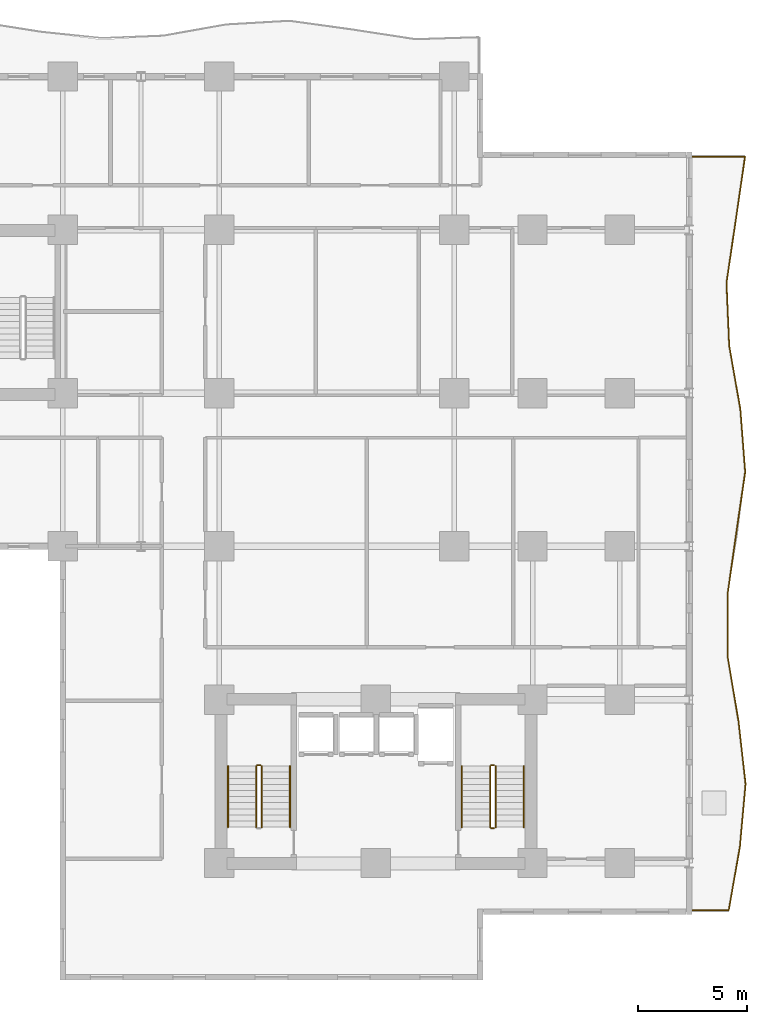
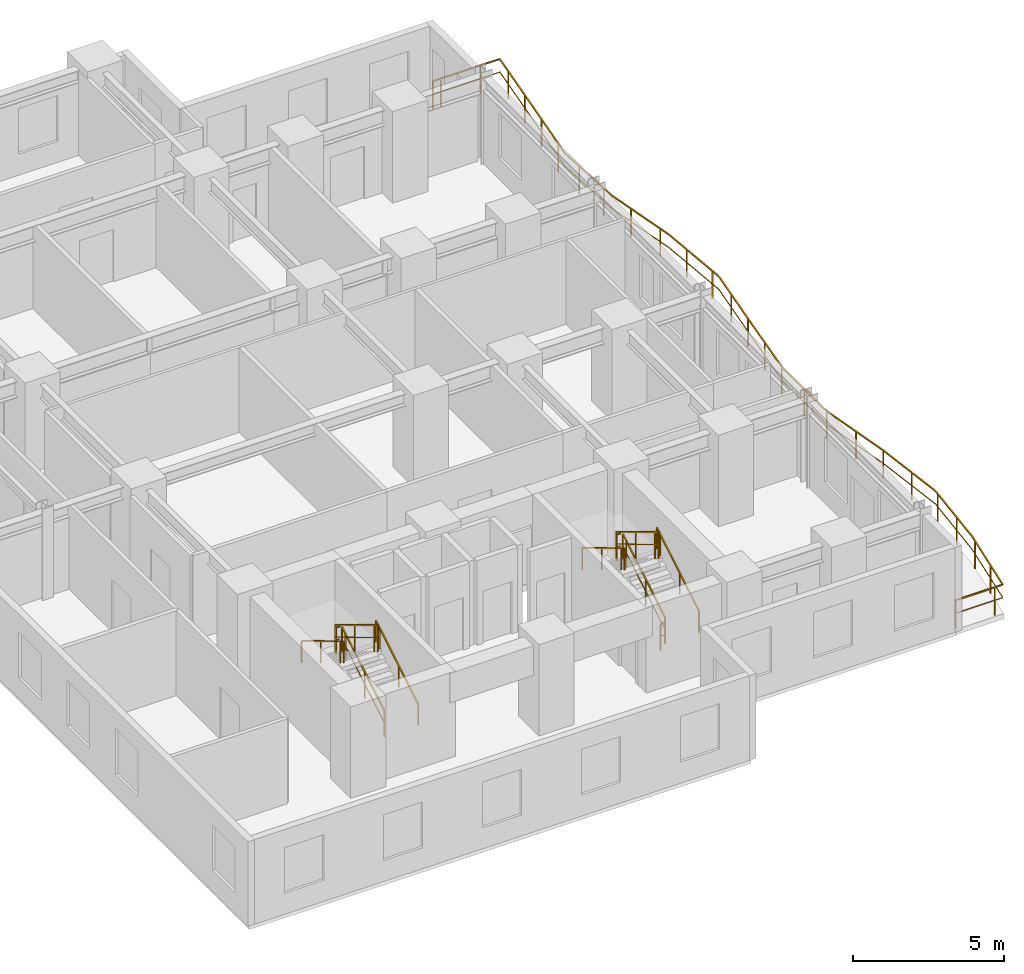
# One storey, part 10 of 11: 12 railings.
"""IFC4 building model written with IfcOpenShell, lengths in metres."""

from ifc_helpers import new_model, si_unit, direction, frame, origin, origin_2d, place, context, subcontext, project, spatial, rectangle, extrude, material, type_object, element, save


model = new_model("IFC4")

# Units and contexts
model_context = context("Model", 3, precision=1e-05, world=origin(), true_north=direction((0.0, 1.0)))
body_context = subcontext(model_context, "Body", "Model", "MODEL_VIEW")
ifc_project = project(units=[si_unit("LENGTHUNIT", "METRE"), si_unit("AREAUNIT", "SQUARE_METRE"), si_unit("VOLUMEUNIT", "CUBIC_METRE"), si_unit("PLANEANGLEUNIT", "RADIAN"), si_unit("MASSUNIT", "GRAM", prefix="KILO")], contexts=[model_context])

# Site, building, storey
site_placement = place(None, origin())
site = spatial("IfcSite", under=ifc_project, at=site_placement, CompositionType="ELEMENT")
building_placement = place(site_placement, origin())
building = spatial("IfcBuilding", under=site, at=building_placement, Name="Kaliganga Portal Commons", CompositionType="ELEMENT")
storey_placement = place(building_placement, frame((0.0, 0.0, 54.89990234375)))
storey = spatial("IfcBuildingStorey", under=building, at=storey_placement, Name="L13", CompositionType="ELEMENT", Elevation=54.89990234375)

# Railings
ifc_material_1 = material(Name="Laminated Safety Glass and Stainless Steel 316", Category="steel")
railing_type_1 = type_object("IfcRailingType", Name="RLG-BAL-1150", PredefinedType="BALUSTRADE", material=ifc_material_1)
railing_1_placement = place(storey_placement, frame((57.6083984375, 4.87939453125, 0.0)))
element("IfcRailing", 1, at=railing_1_placement, inside=storey, type_object=railing_type_1, Name="Balcony Guardrail L13 balc_east", PredefinedType="BALUSTRADE", context=body_context, shape_type="SweptSolid", body=[
    extrude(rectangle(XDim=0.048095703125, YDim=0.048095703125, at=origin_2d()), frame((0.0, 0.0, 1.1259765625), z_axis=(0.999999963693, 0.000269469136, 0.0), x_axis=(-0.000269469136, 0.999999963693, 0.0)), (0.0, 0.0, 1.0), 1.81201171875),
    extrude(rectangle(XDim=0.028076171875, YDim=0.028076171875, at=origin_2d()), frame((0.0, 0.0, 0.597900390625), z_axis=(0.999999963693, 0.000269469136, 0.0), x_axis=(-0.000269469136, 0.999999963693, 0.0)), (0.0, 0.0, 1.0), 1.81201171875),
    extrude(rectangle(XDim=0.048095703125, YDim=0.048095703125, at=origin_2d()), frame((1.81201171875, 0.00048828125, 1.1259765625), z_axis=(0.173359651482, 0.984858584386, 0.0), x_axis=(-0.984858584386, 0.173359651482, 0.0)), (0.0, 0.0, 1.0), 2.94482421875),
    extrude(rectangle(XDim=0.028076171875, YDim=0.028076171875, at=origin_2d()), frame((1.81201171875, 0.00048828125, 0.597900390625), z_axis=(0.173359651482, 0.984858584386, 0.0), x_axis=(-0.984858584386, 0.173359651482, 0.0)), (0.0, 0.0, 1.0), 2.94482421875),
    extrude(rectangle(XDim=0.048095703125, YDim=0.048095703125, at=origin_2d()), frame((2.322509765625, 2.900634765625, 1.1259765625), z_axis=(0.090308930089, 0.995913800058, 0.0), x_axis=(-0.995913800058, 0.090308930089, 0.0)), (0.0, 0.0, 1.0), 2.91162109375),
    extrude(rectangle(XDim=0.028076171875, YDim=0.028076171875, at=origin_2d()), frame((2.322509765625, 2.900634765625, 0.597900390625), z_axis=(0.090308930089, 0.995913800058, 0.0), x_axis=(-0.995913800058, 0.090308930089, 0.0)), (0.0, 0.0, 1.0), 2.91162109375),
    extrude(rectangle(XDim=0.048095703125, YDim=0.048095703125, at=origin_2d()), frame((2.58544921875, 5.80029296875, 1.1259765625), z_axis=(-0.112010581008, 0.993707014035, 0.0), x_axis=(-0.993707014035, -0.112010581008, 0.0)), (0.0, 0.0, 1.0), 2.91845703125),
    extrude(rectangle(XDim=0.028076171875, YDim=0.028076171875, at=origin_2d()), frame((2.58544921875, 5.80029296875, 0.597900390625), z_axis=(-0.112010581008, 0.993707014035, 0.0), x_axis=(-0.993707014035, -0.112010581008, 0.0)), (0.0, 0.0, 1.0), 2.91845703125),
    extrude(rectangle(XDim=0.048095703125, YDim=0.048095703125, at=origin_2d()), frame((2.258544921875, 8.700439453125, 1.1259765625), z_axis=(-0.166269790357, 0.986080299375, 0.0), x_axis=(-0.986080299375, -0.166269790357, 0.0)), (0.0, 0.0, 1.0), 2.941162109375),
    extrude(rectangle(XDim=0.028076171875, YDim=0.028076171875, at=origin_2d()), frame((2.258544921875, 8.700439453125, 0.597900390625), z_axis=(-0.166269790357, 0.986080299375, 0.0), x_axis=(-0.986080299375, -0.166269790357, 0.0)), (0.0, 0.0, 1.0), 2.941162109375),
    extrude(rectangle(XDim=0.048095703125, YDim=0.048095703125, at=origin_2d()), frame((1.76953125, 11.6005859375, 1.1259765625), z_axis=(-0.005051291003, 0.999987242148, 0.0), x_axis=(-0.999987242148, -0.005051291003, 0.0)), (0.0, 0.0, 1.0), 2.89990234375),
    extrude(rectangle(XDim=0.028076171875, YDim=0.028076171875, at=origin_2d()), frame((1.76953125, 11.6005859375, 0.597900390625), z_axis=(-0.005051291003, 0.999987242148, 0.0), x_axis=(-0.999987242148, -0.005051291003, 0.0)), (0.0, 0.0, 1.0), 2.89990234375),
    extrude(rectangle(XDim=0.048095703125, YDim=0.048095703125, at=origin_2d()), frame((1.7548828125, 14.50048828125, 1.1259765625), z_axis=(0.140317245008, 0.990106595652, 0.0), x_axis=(-0.990106595652, 0.140317245008, 0.0)), (0.0, 0.0, 1.0), 2.84814453125),
    extrude(rectangle(XDim=0.028076171875, YDim=0.028076171875, at=origin_2d()), frame((1.7548828125, 14.50048828125, 0.597900390625), z_axis=(0.140317245008, 0.990106595652, 0.0), x_axis=(-0.990106595652, 0.140317245008, 0.0)), (0.0, 0.0, 1.0), 2.84814453125),
    extrude(rectangle(XDim=0.048095703125, YDim=0.048095703125, at=origin_2d()), frame((2.154541015625, 17.320556640625, 1.1259765625), z_axis=(0.144979018425, 0.989434729639, 0.0), x_axis=(-0.989434729639, 0.144979018425, 0.0)), (0.0, 0.0, 1.0), 2.8525390625),
    extrude(rectangle(XDim=0.028076171875, YDim=0.028076171875, at=origin_2d()), frame((2.154541015625, 17.320556640625, 0.597900390625), z_axis=(0.144979018425, 0.989434729639, 0.0), x_axis=(-0.989434729639, 0.144979018425, 0.0)), (0.0, 0.0, 1.0), 2.8525390625),
    extrude(rectangle(XDim=0.048095703125, YDim=0.048095703125, at=origin_2d()), frame((2.568115234375, 20.14306640625, 1.1259765625), z_axis=(-0.077107574656, 0.997022779043, 0.0), x_axis=(-0.997022779043, -0.077107574656, 0.0)), (0.0, 0.0, 1.0), 2.906494140625),
    extrude(rectangle(XDim=0.028076171875, YDim=0.028076171875, at=origin_2d()), frame((2.568115234375, 20.14306640625, 0.597900390625), z_axis=(-0.077107574656, 0.997022779043, 0.0), x_axis=(-0.997022779043, -0.077107574656, 0.0)), (0.0, 0.0, 1.0), 2.906494140625),
    extrude(rectangle(XDim=0.048095703125, YDim=0.048095703125, at=origin_2d()), frame((2.343994140625, 23.041015625, 1.1259765625), z_axis=(-0.173548815858, 0.984825268012, 0.0), x_axis=(-0.984825268012, -0.173548815858, 0.0)), (0.0, 0.0, 1.0), 2.9443359375),
    extrude(rectangle(XDim=0.028076171875, YDim=0.028076171875, at=origin_2d()), frame((2.343994140625, 23.041015625, 0.597900390625), z_axis=(-0.173548815858, 0.984825268012, 0.0), x_axis=(-0.984825268012, -0.173548815858, 0.0)), (0.0, 0.0, 1.0), 2.9443359375),
    extrude(rectangle(XDim=0.048095703125, YDim=0.048095703125, at=origin_2d()), frame((1.8330078125, 25.940673828125, 1.1259765625), z_axis=(-0.042561163054, 0.999093863158, 0.0), x_axis=(-0.999093863158, -0.042561163054, 0.0)), (0.0, 0.0, 1.0), 2.902587890625),
    extrude(rectangle(XDim=0.028076171875, YDim=0.028076171875, at=origin_2d()), frame((1.8330078125, 25.940673828125, 0.597900390625), z_axis=(-0.042561163054, 0.999093863158, 0.0), x_axis=(-0.999093863158, -0.042561163054, 0.0)), (0.0, 0.0, 1.0), 2.902587890625),
    extrude(rectangle(XDim=0.048095703125, YDim=0.048095703125, at=origin_2d()), frame((1.70947265625, 28.840576171875, 1.1259765625), z_axis=(0.146234771308, 0.989249913652, 0.0), x_axis=(-0.989249913652, 0.146234771308, 0.0)), (0.0, 0.0, 1.0), 2.931640625),
    extrude(rectangle(XDim=0.028076171875, YDim=0.028076171875, at=origin_2d()), frame((1.70947265625, 28.840576171875, 0.597900390625), z_axis=(0.146234771308, 0.989249913652, 0.0), x_axis=(-0.989249913652, 0.146234771308, 0.0)), (0.0, 0.0, 1.0), 2.931640625),
    extrude(rectangle(XDim=0.048095703125, YDim=0.048095703125, at=origin_2d()), frame((2.13818359375, 31.74072265625, 1.1259765625), z_axis=(0.144453040332, 0.989511656899, 0.0), x_axis=(-0.989511656899, 0.144453040332, 0.0)), (0.0, 0.0, 1.0), 2.9306640625),
    extrude(rectangle(XDim=0.028076171875, YDim=0.028076171875, at=origin_2d()), frame((2.13818359375, 31.74072265625, 0.597900390625), z_axis=(0.144453040332, 0.989511656899, 0.0), x_axis=(-0.989511656899, 0.144453040332, 0.0)), (0.0, 0.0, 1.0), 2.9306640625),
    extrude(rectangle(XDim=0.048095703125, YDim=0.048095703125, at=origin_2d()), frame((2.5615234375, 34.640625, 1.1259765625), z_axis=(-0.999999981832, 0.000190621422, 0.0), x_axis=(-0.000190621422, -0.999999981832, 0.0)), (0.0, 0.0, 1.0), 2.5615234375),
    extrude(rectangle(XDim=0.028076171875, YDim=0.028076171875, at=origin_2d()), frame((2.5615234375, 34.640625, 0.597900390625), z_axis=(-0.999999981832, 0.000190621422, 0.0), x_axis=(-0.000190621422, -0.999999981832, 0.0)), (0.0, 0.0, 1.0), 2.5615234375),
    extrude(rectangle(XDim=0.0419921875, YDim=0.0419921875, at=origin_2d()), origin(), (0.0, 0.0, 1.0), 1.101806640625),
    extrude(rectangle(XDim=0.0419921875, YDim=0.0419921875, at=origin_2d()), frame((1.5, 0.00048828125, 0.0)), (0.0, 0.0, 1.0), 1.101806640625),
    extrude(rectangle(XDim=0.0419921875, YDim=0.0419921875, at=origin_2d()), frame((2.01806640625, 1.17041015625, 0.0)), (0.0, 0.0, 1.0), 1.101806640625),
    extrude(rectangle(XDim=0.0419921875, YDim=0.0419921875, at=origin_2d()), frame((2.278076171875, 2.647705078125, 0.0)), (0.0, 0.0, 1.0), 1.101806640625),
    extrude(rectangle(XDim=0.0419921875, YDim=0.0419921875, at=origin_2d()), frame((2.434814453125, 4.138916015625, 0.0)), (0.0, 0.0, 1.0), 1.101806640625),
    extrude(rectangle(XDim=0.0419921875, YDim=0.0419921875, at=origin_2d()), frame((2.5703125, 5.632568359375, 0.0)), (0.0, 0.0, 1.0), 1.101806640625),
    extrude(rectangle(XDim=0.0419921875, YDim=0.0419921875, at=origin_2d()), frame((2.436279296875, 7.12353515625, 0.0)), (0.0, 0.0, 1.0), 1.101806640625),
    extrude(rectangle(XDim=0.0419921875, YDim=0.0419921875, at=origin_2d()), frame((2.258544921875, 8.700439453125, 0.0)), (0.0, 0.0, 1.0), 1.101806640625),
    extrude(rectangle(XDim=0.0419921875, YDim=0.0419921875, at=origin_2d()), frame((2.023681640625, 10.093994140625, 0.0)), (0.0, 0.0, 1.0), 1.101806640625),
    extrude(rectangle(XDim=0.0419921875, YDim=0.0419921875, at=origin_2d()), frame((1.76953125, 11.6005859375, 0.0)), (0.0, 0.0, 1.0), 1.101806640625),
    extrude(rectangle(XDim=0.0419921875, YDim=0.0419921875, at=origin_2d()), frame((1.76220703125, 13.07275390625, 0.0)), (0.0, 0.0, 1.0), 1.101806640625),
    extrude(rectangle(XDim=0.0419921875, YDim=0.0419921875, at=origin_2d()), frame((1.764892578125, 14.572021484375, 0.0)), (0.0, 0.0, 1.0), 1.101806640625),
    extrude(rectangle(XDim=0.0419921875, YDim=0.0419921875, at=origin_2d()), frame((1.9755859375, 16.05712890625, 0.0)), (0.0, 0.0, 1.0), 1.101806640625),
    extrude(rectangle(XDim=0.0419921875, YDim=0.0419921875, at=origin_2d()), frame((2.18701171875, 17.5419921875, 0.0)), (0.0, 0.0, 1.0), 1.101806640625),
    extrude(rectangle(XDim=0.0419921875, YDim=0.0419921875, at=origin_2d()), frame((2.404541015625, 19.0263671875, 0.0)), (0.0, 0.0, 1.0), 1.101806640625),
    extrude(rectangle(XDim=0.0419921875, YDim=0.0419921875, at=origin_2d()), frame((2.53955078125, 20.51318359375, 0.0)), (0.0, 0.0, 1.0), 1.101806640625),
    extrude(rectangle(XDim=0.0419921875, YDim=0.0419921875, at=origin_2d()), frame((2.423828125, 22.0087890625, 0.0)), (0.0, 0.0, 1.0), 1.101806640625),
    extrude(rectangle(XDim=0.0419921875, YDim=0.0419921875, at=origin_2d()), frame((2.263427734375, 23.49853515625, 0.0)), (0.0, 0.0, 1.0), 1.101806640625),
    extrude(rectangle(XDim=0.0419921875, YDim=0.0419921875, at=origin_2d()), frame((2.0029296875, 24.975830078125, 0.0)), (0.0, 0.0, 1.0), 1.101806640625),
    extrude(rectangle(XDim=0.0419921875, YDim=0.0419921875, at=origin_2d()), frame((1.810791015625, 26.46044921875, 0.0)), (0.0, 0.0, 1.0), 1.101806640625),
    extrude(rectangle(XDim=0.0419921875, YDim=0.0419921875, at=origin_2d()), frame((1.7470703125, 27.959228515625, 0.0)), (0.0, 0.0, 1.0), 1.101806640625),
    extrude(rectangle(XDim=0.0419921875, YDim=0.0419921875, at=origin_2d()), frame((1.7998046875, 29.45166015625, 0.0)), (0.0, 0.0, 1.0), 1.101806640625),
    extrude(rectangle(XDim=0.0419921875, YDim=0.0419921875, at=origin_2d()), frame((2.019287109375, 30.935546875, 0.0)), (0.0, 0.0, 1.0), 1.101806640625),
    extrude(rectangle(XDim=0.0419921875, YDim=0.0419921875, at=origin_2d()), frame((2.2373046875, 32.419677734375, 0.0)), (0.0, 0.0, 1.0), 1.101806640625),
    extrude(rectangle(XDim=0.0419921875, YDim=0.0419921875, at=origin_2d()), frame((2.453857421875, 33.90380859375, 0.0)), (0.0, 0.0, 1.0), 1.101806640625),
    extrude(rectangle(XDim=0.0419921875, YDim=0.0419921875, at=origin_2d()), frame((1.80615234375, 34.640869140625, 0.0)), (0.0, 0.0, 1.0), 1.101806640625),
    extrude(rectangle(XDim=0.0419921875, YDim=0.0419921875, at=origin_2d()), frame((0.30615234375, 34.64111328125, 0.0)), (0.0, 0.0, 1.0), 1.101806640625),
    extrude(rectangle(XDim=0.0419921875, YDim=0.0419921875, at=origin_2d()), frame((0.0, 34.64111328125, 0.0)), (0.0, 0.0, 1.0), 1.101806640625),
])
ifc_material_2 = material(Name="Galvanized Painted Steel Balustrade", Category="steel")
railing_type_2 = type_object("IfcRailingType", Name="RLG-STAIR-GRD", PredefinedType="GUARDRAIL", material=ifc_material_2)
railing_2_placement = place(storey_placement, frame((37.949951171875, 8.699951171875, 0.168212890625)))
element("IfcRailing", 2, at=railing_2_placement, inside=storey, type_object=railing_type_2, Name="L13 ST-B1 stair guard 1", PredefinedType="GUARDRAIL", context=body_context, shape_type="SweptSolid", body=[
    extrude(rectangle(XDim=0.048095703125, YDim=0.048095703125, at=origin_2d()), frame((0.0, 0.0, 1.072021484375), z_axis=(0.0, 0.857242210791, 0.514913383045), x_axis=(-1.0, 0.0, 0.0)), (0.0, 0.0, 1.0), 3.266357421875),
    extrude(rectangle(XDim=0.028076171875, YDim=0.028076171875, at=origin_2d()), frame((0.0, 0.0, 0.572021484375), z_axis=(0.0, 0.857242210791, 0.514913383045), x_axis=(-1.0, 0.0, 0.0)), (0.0, 0.0, 1.0), 3.266357421875),
    extrude(rectangle(XDim=0.0419921875, YDim=0.0419921875, at=origin_2d()), origin(), (0.0, 0.0, 1.0), 1.052001953125),
    extrude(rectangle(XDim=0.0419921875, YDim=0.0419921875, at=origin_2d()), frame((0.0, 1.285888671875, 0.7724609375)), (0.0, 0.0, 1.0), 1.052001953125),
    extrude(rectangle(XDim=0.0419921875, YDim=0.0419921875, at=origin_2d()), frame((0.0, 2.57177734375, 1.544677734375)), (0.0, 0.0, 1.0), 1.052001953125),
    extrude(rectangle(XDim=0.0419921875, YDim=0.0419921875, at=origin_2d()), frame((0.0, 2.800048828125, 1.681884765625)), (0.0, 0.0, 1.0), 1.052001953125),
])
railing_3_placement = place(storey_placement, frame((37.89990234375, 11.550048828125, 1.85009765625)))
element("IfcRailing", 3, at=railing_3_placement, inside=storey, type_object=railing_type_2, Name="L13 ST-B1 stair guard 2", PredefinedType="GUARDRAIL", context=body_context, shape_type="SweptSolid", body=[
    extrude(rectangle(XDim=0.048095703125, YDim=0.048095703125, at=origin_2d()), frame((0.0, 0.0, 1.076171875), z_axis=(-1.0, 0.0, 0.0), x_axis=(0.0, -1.0, 0.0)), (0.0, 0.0, 1.0), 0.14990234375),
    extrude(rectangle(XDim=0.028076171875, YDim=0.028076171875, at=origin_2d()), frame((0.0, 0.0, 0.572021484375), z_axis=(-1.0, 0.0, 0.0), x_axis=(0.0, -1.0, 0.0)), (0.0, 0.0, 1.0), 0.14990234375),
    extrude(rectangle(XDim=0.0419921875, YDim=0.0419921875, at=origin_2d()), frame((-0.14990234375, 0.0, 0.0)), (0.0, 0.0, 1.0), 1.052001953125),
])
railing_4_placement = place(storey_placement, frame((37.699951171875, 11.5, 2.018310546875)))
element("IfcRailing", 4, at=railing_4_placement, inside=storey, type_object=railing_type_2, Name="L13 ST-B1 stair guard 3", PredefinedType="GUARDRAIL", context=body_context, shape_type="SweptSolid", body=[
    extrude(rectangle(XDim=0.048095703125, YDim=0.048095703125, at=origin_2d()), frame((0.0, 0.0, 1.072021484375), z_axis=(0.0, -0.857242210791, 0.514913383045), x_axis=(1.0, 0.0, 0.0)), (0.0, 0.0, 1.0), 3.266357421875),
    extrude(rectangle(XDim=0.028076171875, YDim=0.028076171875, at=origin_2d()), frame((0.0, 0.0, 0.572021484375), z_axis=(0.0, -0.857242210791, 0.514913383045), x_axis=(1.0, 0.0, 0.0)), (0.0, 0.0, 1.0), 3.266357421875),
    extrude(rectangle(XDim=0.0419921875, YDim=0.0419921875, at=origin_2d()), origin(), (0.0, 0.0, 1.0), 1.052001953125),
    extrude(rectangle(XDim=0.0419921875, YDim=0.0419921875, at=origin_2d()), frame((0.0, -1.285888671875, 0.7724609375)), (0.0, 0.0, 1.0), 1.052001953125),
    extrude(rectangle(XDim=0.0419921875, YDim=0.0419921875, at=origin_2d()), frame((0.0, -2.57177734375, 1.544677734375)), (0.0, 0.0, 1.0), 1.052001953125),
    extrude(rectangle(XDim=0.0419921875, YDim=0.0419921875, at=origin_2d()), frame((0.0, -2.800048828125, 1.681884765625)), (0.0, 0.0, 1.0), 1.052001953125),
])
railing_5_placement = place(storey_placement, frame((48.699951171875, 8.699951171875, 0.168212890625)))
element("IfcRailing", 5, at=railing_5_placement, inside=storey, type_object=railing_type_2, Name="L13 ST-B2 stair guard 1", PredefinedType="GUARDRAIL", context=body_context, shape_type="SweptSolid", body=[
    extrude(rectangle(XDim=0.048095703125, YDim=0.048095703125, at=origin_2d()), frame((0.0, 0.0, 1.072021484375), z_axis=(0.0, 0.857242210791, 0.514913383045), x_axis=(-1.0, 0.0, 0.0)), (0.0, 0.0, 1.0), 3.266357421875),
    extrude(rectangle(XDim=0.028076171875, YDim=0.028076171875, at=origin_2d()), frame((0.0, 0.0, 0.572021484375), z_axis=(0.0, 0.857242210791, 0.514913383045), x_axis=(-1.0, 0.0, 0.0)), (0.0, 0.0, 1.0), 3.266357421875),
    extrude(rectangle(XDim=0.0419921875, YDim=0.0419921875, at=origin_2d()), origin(), (0.0, 0.0, 1.0), 1.052001953125),
    extrude(rectangle(XDim=0.0419921875, YDim=0.0419921875, at=origin_2d()), frame((0.0, 1.285888671875, 0.7724609375)), (0.0, 0.0, 1.0), 1.052001953125),
    extrude(rectangle(XDim=0.0419921875, YDim=0.0419921875, at=origin_2d()), frame((0.0, 2.57177734375, 1.544677734375)), (0.0, 0.0, 1.0), 1.052001953125),
    extrude(rectangle(XDim=0.0419921875, YDim=0.0419921875, at=origin_2d()), frame((0.0, 2.800048828125, 1.681884765625)), (0.0, 0.0, 1.0), 1.052001953125),
])
railing_6_placement = place(storey_placement, frame((48.64990234375, 11.550048828125, 1.85009765625)))
element("IfcRailing", 6, at=railing_6_placement, inside=storey, type_object=railing_type_2, Name="L13 ST-B2 stair guard 2", PredefinedType="GUARDRAIL", context=body_context, shape_type="SweptSolid", body=[
    extrude(rectangle(XDim=0.048095703125, YDim=0.048095703125, at=origin_2d()), frame((0.0, 0.0, 1.076171875), z_axis=(-1.0, 0.0, 0.0), x_axis=(0.0, -1.0, 0.0)), (0.0, 0.0, 1.0), 0.14990234375),
    extrude(rectangle(XDim=0.028076171875, YDim=0.028076171875, at=origin_2d()), frame((0.0, 0.0, 0.572021484375), z_axis=(-1.0, 0.0, 0.0), x_axis=(0.0, -1.0, 0.0)), (0.0, 0.0, 1.0), 0.14990234375),
    extrude(rectangle(XDim=0.0419921875, YDim=0.0419921875, at=origin_2d()), frame((-0.14990234375, 0.0, 0.0)), (0.0, 0.0, 1.0), 1.052001953125),
])
railing_7_placement = place(storey_placement, frame((48.449951171875, 11.5, 2.018310546875)))
element("IfcRailing", 7, at=railing_7_placement, inside=storey, type_object=railing_type_2, Name="L13 ST-B2 stair guard 3", PredefinedType="GUARDRAIL", context=body_context, shape_type="SweptSolid", body=[
    extrude(rectangle(XDim=0.048095703125, YDim=0.048095703125, at=origin_2d()), frame((0.0, 0.0, 1.072021484375), z_axis=(0.0, -0.857242210791, 0.514913383045), x_axis=(1.0, 0.0, 0.0)), (0.0, 0.0, 1.0), 3.266357421875),
    extrude(rectangle(XDim=0.028076171875, YDim=0.028076171875, at=origin_2d()), frame((0.0, 0.0, 0.572021484375), z_axis=(0.0, -0.857242210791, 0.514913383045), x_axis=(1.0, 0.0, 0.0)), (0.0, 0.0, 1.0), 3.266357421875),
    extrude(rectangle(XDim=0.0419921875, YDim=0.0419921875, at=origin_2d()), origin(), (0.0, 0.0, 1.0), 1.052001953125),
    extrude(rectangle(XDim=0.0419921875, YDim=0.0419921875, at=origin_2d()), frame((0.0, -1.285888671875, 0.7724609375)), (0.0, 0.0, 1.0), 1.052001953125),
    extrude(rectangle(XDim=0.0419921875, YDim=0.0419921875, at=origin_2d()), frame((0.0, -2.57177734375, 1.544677734375)), (0.0, 0.0, 1.0), 1.052001953125),
    extrude(rectangle(XDim=0.0419921875, YDim=0.0419921875, at=origin_2d()), frame((0.0, -2.800048828125, 1.681884765625)), (0.0, 0.0, 1.0), 1.052001953125),
])
railing_8_placement = place(storey_placement, frame((48.64990234375, 8.64990234375, 0.0)))
element("IfcRailing", 8, at=railing_8_placement, inside=storey, type_object=railing_type_2, Name="L13 ST-B2 stair guard 4", PredefinedType="GUARDRAIL", context=body_context, shape_type="SweptSolid", body=[
    extrude(rectangle(XDim=0.048095703125, YDim=0.048095703125, at=origin_2d()), frame((0.0, 0.0, 1.076171875), z_axis=(-1.0, 0.0, 0.0), x_axis=(0.0, -1.0, 0.0)), (0.0, 0.0, 1.0), 0.14990234375),
    extrude(rectangle(XDim=0.028076171875, YDim=0.028076171875, at=origin_2d()), frame((0.0, 0.0, 0.572021484375), z_axis=(-1.0, 0.0, 0.0), x_axis=(0.0, -1.0, 0.0)), (0.0, 0.0, 1.0), 0.14990234375),
    extrude(rectangle(XDim=0.0419921875, YDim=0.0419921875, at=origin_2d()), frame((-0.14990234375, 0.0, 0.0)), (0.0, 0.0, 1.0), 1.052001953125),
])
ifc_material_3 = material(Name="Brushed Stainless Steel 316", Category="steel")
railing_type_3 = type_object("IfcRailingType", Name="RLG-STAIR-HR", PredefinedType="HANDRAIL", material=ifc_material_3)
railing_9_placement = place(storey_placement, frame((39.25, 8.699951171875, 0.168212890625)))
element("IfcRailing", 9, at=railing_9_placement, inside=storey, type_object=railing_type_3, Name="L13 ST-B1 stair handrail 1", PredefinedType="HANDRAIL", context=body_context, shape_type="SweptSolid", body=[
    extrude(rectangle(XDim=0.048095703125, YDim=0.048095703125, at=origin_2d()), frame((0.0, 0.0, 0.871826171875), z_axis=(0.0, 0.857242210791, 0.514913383045), x_axis=(-1.0, 0.0, 0.0)), (0.0, 0.0, 1.0), 3.266357421875),
    extrude(rectangle(XDim=0.0419921875, YDim=0.0419921875, at=origin_2d()), origin(), (0.0, 0.0, 1.0), 0.851806640625),
    extrude(rectangle(XDim=0.0419921875, YDim=0.0419921875, at=origin_2d()), frame((0.0, 1.285888671875, 0.7724609375)), (0.0, 0.0, 1.0), 0.851806640625),
    extrude(rectangle(XDim=0.0419921875, YDim=0.0419921875, at=origin_2d()), frame((0.0, 2.57177734375, 1.544677734375)), (0.0, 0.0, 1.0), 0.851806640625),
    extrude(rectangle(XDim=0.0419921875, YDim=0.0419921875, at=origin_2d()), frame((0.0, 2.800048828125, 1.681884765625)), (0.0, 0.0, 1.0), 0.851806640625),
])
railing_10_placement = place(storey_placement, frame((36.39990234375, 11.5, 2.018310546875)))
element("IfcRailing", 10, at=railing_10_placement, inside=storey, type_object=railing_type_3, Name="L13 ST-B1 stair handrail 2", PredefinedType="HANDRAIL", context=body_context, shape_type="SweptSolid", body=[
    extrude(rectangle(XDim=0.048095703125, YDim=0.048095703125, at=origin_2d()), frame((0.0, 0.0, 0.871826171875), z_axis=(0.0, -0.857242210791, 0.514913383045), x_axis=(1.0, 0.0, 0.0)), (0.0, 0.0, 1.0), 3.266357421875),
    extrude(rectangle(XDim=0.0419921875, YDim=0.0419921875, at=origin_2d()), origin(), (0.0, 0.0, 1.0), 0.851806640625),
    extrude(rectangle(XDim=0.0419921875, YDim=0.0419921875, at=origin_2d()), frame((0.0, -1.285888671875, 0.7724609375)), (0.0, 0.0, 1.0), 0.851806640625),
    extrude(rectangle(XDim=0.0419921875, YDim=0.0419921875, at=origin_2d()), frame((0.0, -2.57177734375, 1.544677734375)), (0.0, 0.0, 1.0), 0.851806640625),
    extrude(rectangle(XDim=0.0419921875, YDim=0.0419921875, at=origin_2d()), frame((0.0, -2.800048828125, 1.681884765625)), (0.0, 0.0, 1.0), 0.851806640625),
])
railing_11_placement = place(storey_placement, frame((50.0, 8.699951171875, 0.168212890625)))
element("IfcRailing", 11, at=railing_11_placement, inside=storey, type_object=railing_type_3, Name="L13 ST-B2 stair handrail 1", PredefinedType="HANDRAIL", context=body_context, shape_type="SweptSolid", body=[
    extrude(rectangle(XDim=0.048095703125, YDim=0.048095703125, at=origin_2d()), frame((0.0, 0.0, 0.871826171875), z_axis=(0.0, 0.857242210791, 0.514913383045), x_axis=(-1.0, 0.0, 0.0)), (0.0, 0.0, 1.0), 3.266357421875),
    extrude(rectangle(XDim=0.0419921875, YDim=0.0419921875, at=origin_2d()), origin(), (0.0, 0.0, 1.0), 0.851806640625),
    extrude(rectangle(XDim=0.0419921875, YDim=0.0419921875, at=origin_2d()), frame((0.0, 1.285888671875, 0.7724609375)), (0.0, 0.0, 1.0), 0.851806640625),
    extrude(rectangle(XDim=0.0419921875, YDim=0.0419921875, at=origin_2d()), frame((0.0, 2.57177734375, 1.544677734375)), (0.0, 0.0, 1.0), 0.851806640625),
    extrude(rectangle(XDim=0.0419921875, YDim=0.0419921875, at=origin_2d()), frame((0.0, 2.800048828125, 1.681884765625)), (0.0, 0.0, 1.0), 0.851806640625),
])
railing_12_placement = place(storey_placement, frame((47.14990234375, 11.5, 2.018310546875)))
element("IfcRailing", 12, at=railing_12_placement, inside=storey, type_object=railing_type_3, Name="L13 ST-B2 stair handrail 2", PredefinedType="HANDRAIL", context=body_context, shape_type="SweptSolid", body=[
    extrude(rectangle(XDim=0.048095703125, YDim=0.048095703125, at=origin_2d()), frame((0.0, 0.0, 0.871826171875), z_axis=(0.0, -0.857242210791, 0.514913383045), x_axis=(1.0, 0.0, 0.0)), (0.0, 0.0, 1.0), 3.266357421875),
    extrude(rectangle(XDim=0.0419921875, YDim=0.0419921875, at=origin_2d()), origin(), (0.0, 0.0, 1.0), 0.851806640625),
    extrude(rectangle(XDim=0.0419921875, YDim=0.0419921875, at=origin_2d()), frame((0.0, -1.285888671875, 0.7724609375)), (0.0, 0.0, 1.0), 0.851806640625),
    extrude(rectangle(XDim=0.0419921875, YDim=0.0419921875, at=origin_2d()), frame((0.0, -2.57177734375, 1.544677734375)), (0.0, 0.0, 1.0), 0.851806640625),
    extrude(rectangle(XDim=0.0419921875, YDim=0.0419921875, at=origin_2d()), frame((0.0, -2.800048828125, 1.681884765625)), (0.0, 0.0, 1.0), 0.851806640625),
])

save(model, "model.ifc")
